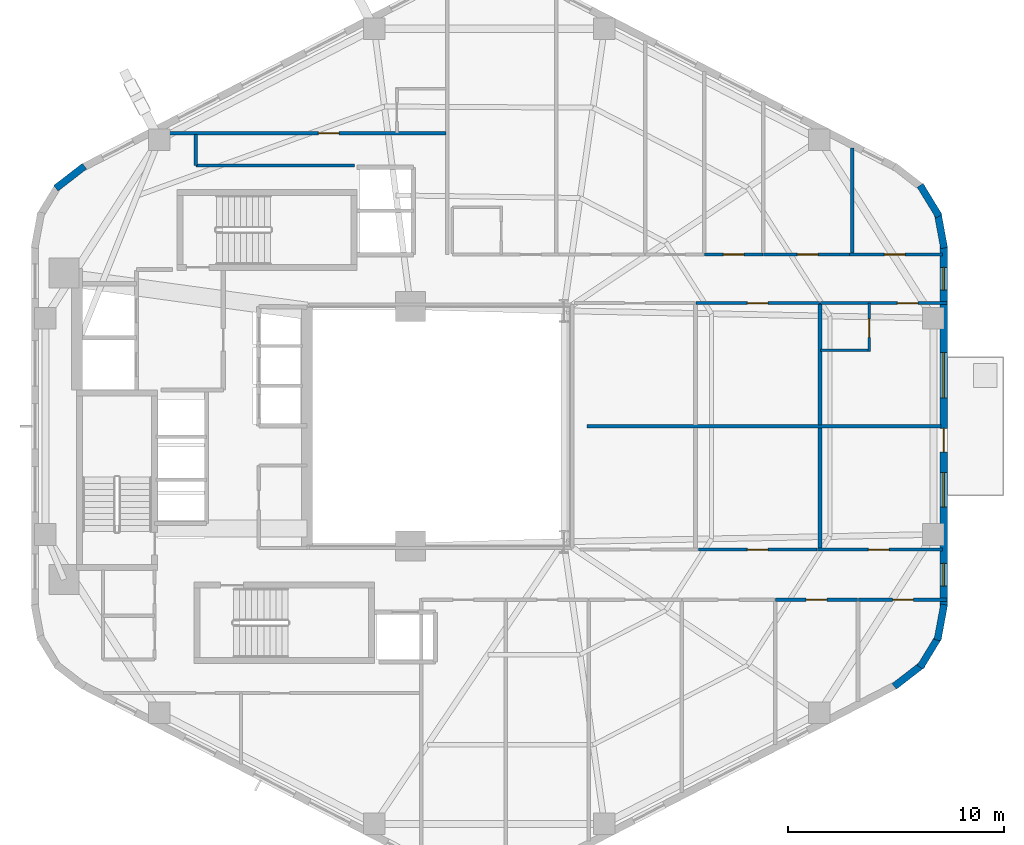
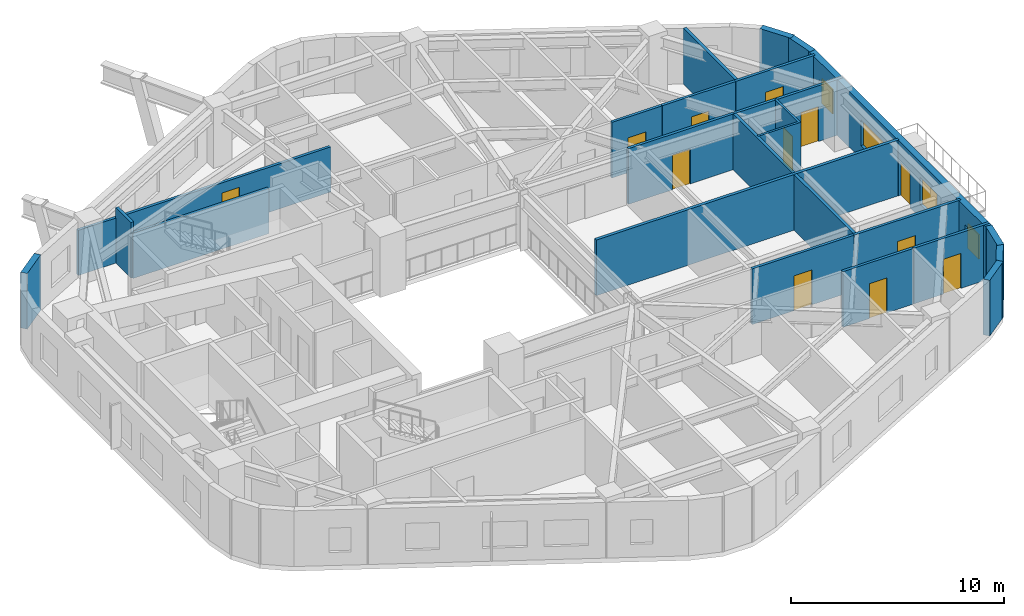
# One storey, part 5 of 8: 25 walls, 12 doors, 4 windows, 16 openings.
"""IFC4 building model written with IfcOpenShell, lengths in metres."""

from ifc_helpers import new_model, si_unit, direction, frame, frame_2d, origin, place, context, subcontext, project, spatial, rectangle, extrude, material, layer, layer_set, type_object, element, fill, save


model = new_model("IFC4")

# Units and contexts
model_context = context("Model", 3, precision=1e-05, world=origin(), true_north=direction((0.0, 1.0)))
body_context = subcontext(model_context, "Body", "Model", "MODEL_VIEW")
ifc_project = project(units=[si_unit("LENGTHUNIT", "METRE"), si_unit("AREAUNIT", "SQUARE_METRE"), si_unit("VOLUMEUNIT", "CUBIC_METRE"), si_unit("PLANEANGLEUNIT", "RADIAN"), si_unit("MASSUNIT", "GRAM", prefix="KILO"), si_unit("THERMODYNAMICTEMPERATUREUNIT", "KELVIN"), si_unit("POWERUNIT", "WATT")], contexts=[model_context])

# Site, building, storey
site_placement = place(None, origin())
site = spatial("IfcSite", under=ifc_project, at=site_placement, CompositionType="ELEMENT")
building_placement = place(site_placement, origin())
building = spatial("IfcBuilding", under=site, at=building_placement, Name="Skarre Station Tower", CompositionType="ELEMENT")
storey_placement = place(building_placement, frame((0.0, 0.0, 125.699951171875)))
storey = spatial("IfcBuildingStorey", under=building, at=storey_placement, Name="L33", CompositionType="ELEMENT", Elevation=125.699951171875)

# Wall, opening, door
ifc_material_1 = material(Name="Acoustic Steel-Stud Gypsum Partition", Category="steel")
ifc_layer_1 = layer(ifc_material_1, 0.14990234375, Name="Acoustic Steel-Stud Gypsum Partition")
ifc_layer_set_1 = layer_set([ifc_layer_1], Name="Acoustic Steel-Stud Gypsum Partition")
wall_type_1 = type_object("IfcWallType", Name="Fire-Rated Corridor Acoustic Partition 150", PredefinedType="PARTITIONING", material=ifc_layer_set_1)
wall_1_placement = place(storey_placement, frame((34.0, 37.580078125, 0.0), z_axis=(0.0, 0.0, 1.0), x_axis=(-1.0, 0.0, 0.0)))
wall_1 = element("IfcWall", 1, at=wall_1_placement, inside=storey, type_object=wall_type_1, Name="L33 Interior Partition WL-PT-L33-NWW1-CW", PredefinedType="PARTITIONING", context=body_context, shape_type="SweptSolid", body=[
    extrude(rectangle(XDim=13.70703125, YDim=0.14990234375, at=frame_2d((6.853515625, 0.0))), origin(), (0.0, 0.0, 1.0), 2.58203125),
])
opening_1_placement = place(wall_1_placement, frame((4.9599609375, 0.0, 0.0)))
opening_1 = element("IfcOpeningElement", 2, at=opening_1_placement, cuts=wall_1, Name="Opening DR-FD60", PredefinedType="OPENING", context=body_context, shape_type="SweptSolid", body=[
    extrude(rectangle(XDim=0.9599609375, YDim=2.0, at=frame_2d((0.47998046875, 1.0))), frame((0.0, 0.0849609375, 0.0), z_axis=(0.0, -1.0, 0.0), x_axis=(1.0, 0.0, 0.0)), (0.0, 0.0, 1.0), 0.169921875),
])
ifc_material_2 = material(Name="Nordic White-Oak Veneer Solid-Core Fire Leaf", Category="wood")
door_type_1 = type_object("IfcDoorType", Name="Corridor Suite Entry Fire Door FD60 960x2150", OperationType="SINGLE_SWING_LEFT", PredefinedType="DOOR", material=ifc_material_2)
door_1_placement = place(opening_1_placement, origin())
door_1 = element("IfcDoor", 3, at=door_1_placement, inside=storey, type_object=door_type_1, Name="L33 NWW1 Entry Door", OperationType="SINGLE_SWING_LEFT", OverallHeight=2.0, OverallWidth=0.9599609375, PredefinedType="DOOR", context=body_context, shape_type="SweptSolid", body=[
    extrude(rectangle(XDim=0.9599609375, YDim=2.0, at=frame_2d((0.47998046875, 1.0))), frame((0.0, 0.02490234375, 0.0), z_axis=(0.0, -1.0, 0.0), x_axis=(1.0, 0.0, 0.0)), (0.0, 0.0, 1.0), 0.050048828125),
])
fill(opening_1, door_1)

wall_2_placement = place(storey_placement, frame((48.679931640625, 31.9599609375, 0.0), z_axis=(0.0, 0.0, 1.0), x_axis=(-1.0, 0.0, 0.0)))
wall_2 = element("IfcWall", 4, at=wall_2_placement, inside=storey, type_object=wall_type_1, Name="L33 Interior Partition WL-PT-L33-NW4-CW", PredefinedType="PARTITIONING", context=body_context, shape_type="SweptSolid", body=[
    extrude(rectangle(XDim=2.7080078125, YDim=0.14990234375, at=frame_2d((1.35400390625, 0.0))), origin(), (0.0, 0.0, 1.0), 3.18994140625),
])
opening_2_placement = place(wall_2_placement, frame((0.8740234375, 0.0, 0.0)))
opening_2 = element("IfcOpeningElement", 5, at=opening_2_placement, cuts=wall_2, Name="Opening DR-FD60", PredefinedType="OPENING", context=body_context, shape_type="SweptSolid", body=[
    extrude(rectangle(XDim=0.9599609375, YDim=2.0, at=frame_2d((0.47998046875, 1.0))), frame((0.0, 0.0849609375, 0.0), z_axis=(0.0, -1.0, 0.0), x_axis=(1.0, 0.0, 0.0)), (0.0, 0.0, 1.0), 0.169921875),
])
door_2_placement = place(opening_2_placement, origin())
door_2 = element("IfcDoor", 6, at=door_2_placement, inside=storey, type_object=door_type_1, Name="L33 NW4 Entry Door", OperationType="SINGLE_SWING_LEFT", OverallHeight=2.0, OverallWidth=0.9599609375, PredefinedType="DOOR", context=body_context, shape_type="SweptSolid", body=[
    extrude(rectangle(XDim=0.9599609375, YDim=2.0, at=frame_2d((0.47998046875, 1.0))), frame((0.0, 0.02490234375, 0.0), z_axis=(0.0, -1.0, 0.0), x_axis=(1.0, 0.0, 0.0)), (0.0, 0.0, 1.0), 0.050048828125),
])
fill(opening_2, door_2)

wall_3_placement = place(storey_placement, frame((52.677001953125, 31.9599609375, 0.0), z_axis=(0.0, 0.0, 1.0), x_axis=(-1.0, 0.0, 0.0)))
wall_3 = element("IfcWall", 7, at=wall_3_placement, inside=storey, type_object=wall_type_1, Name="L33 Interior Partition WL-PT-L33-NW5-CW", PredefinedType="PARTITIONING", context=body_context, shape_type="SweptSolid", body=[
    extrude(rectangle(XDim=3.965087890625, YDim=0.14990234375, at=frame_2d((1.982421875, 0.0))), origin(), (0.0, 0.0, 1.0), 3.18994140625),
])
opening_3_placement = place(wall_3_placement, frame((1.446044921875, 0.0, 0.0)))
opening_3 = element("IfcOpeningElement", 8, at=opening_3_placement, cuts=wall_3, Name="Opening DR-FD60", PredefinedType="OPENING", context=body_context, shape_type="SweptSolid", body=[
    extrude(rectangle(XDim=0.9599609375, YDim=2.0, at=frame_2d((0.47998046875, 1.0))), frame((0.0, 0.0849609375, 0.0), z_axis=(0.0, -1.0, 0.0), x_axis=(1.0, 0.0, 0.0)), (0.0, 0.0, 1.0), 0.169921875),
])
door_3_placement = place(opening_3_placement, origin())
door_3 = element("IfcDoor", 9, at=door_3_placement, inside=storey, type_object=door_type_1, Name="L33 NW5 Entry Door", OperationType="SINGLE_SWING_LEFT", OverallHeight=2.0, OverallWidth=0.9599609375, PredefinedType="DOOR", context=body_context, shape_type="SweptSolid", body=[
    extrude(rectangle(XDim=0.9599609375, YDim=2.0, at=frame_2d((0.47998046875, 1.0))), frame((0.0, 0.02490234375, 0.0), z_axis=(0.0, -1.0, 0.0), x_axis=(1.0, 0.0, 0.0)), (0.0, 0.0, 1.0), 0.050048828125),
])
fill(opening_3, door_3)

wall_4_placement = place(storey_placement, frame((56.987060546875, 31.9599609375, 0.0), z_axis=(0.0, 0.0, 1.0), x_axis=(-1.0, 0.0, 0.0)))
wall_4 = element("IfcWall", 10, at=wall_4_placement, inside=storey, type_object=wall_type_1, Name="L33 Interior Partition WL-PT-L33-NW6-CW", PredefinedType="PARTITIONING", context=body_context, shape_type="SweptSolid", body=[
    extrude(rectangle(XDim=4.300048828125, YDim=0.14990234375, at=frame_2d((2.14990234375, 0.0))), origin(), (0.0, 0.0, 1.0), 3.18994140625),
])
opening_4_placement = place(wall_4_placement, frame((1.72705078125, 0.0, 0.0)))
opening_4 = element("IfcOpeningElement", 11, at=opening_4_placement, cuts=wall_4, Name="Opening DR-FD60", PredefinedType="OPENING", context=body_context, shape_type="SweptSolid", body=[
    extrude(rectangle(XDim=0.9599609375, YDim=2.0, at=frame_2d((0.47998046875, 1.0))), frame((0.0, 0.0849609375, 0.0), z_axis=(0.0, -1.0, 0.0), x_axis=(1.0, 0.0, 0.0)), (0.0, 0.0, 1.0), 0.169921875),
])
door_4_placement = place(opening_4_placement, origin())
door_4 = element("IfcDoor", 12, at=door_4_placement, inside=storey, type_object=door_type_1, Name="L33 NW6 Entry Door", OperationType="SINGLE_SWING_LEFT", OverallHeight=2.0, OverallWidth=0.9599609375, PredefinedType="DOOR", context=body_context, shape_type="SweptSolid", body=[
    extrude(rectangle(XDim=0.9599609375, YDim=2.0, at=frame_2d((0.47998046875, 1.0))), frame((0.0, 0.02490234375, 0.0), z_axis=(0.0, -1.0, 0.0), x_axis=(1.0, 0.0, 0.0)), (0.0, 0.0, 1.0), 0.050048828125),
])
fill(opening_4, door_4)

wall_5_placement = place(storey_placement, frame((45.56396484375, 29.7099609375, 0.0), z_axis=(0.0, 0.0, 1.0), x_axis=(1.0, 0.0, 0.0)))
wall_5 = element("IfcWall", 13, at=wall_5_placement, inside=storey, type_object=wall_type_1, Name="L33 Interior Partition WL-PT-L33-EWN2-CW", PredefinedType="PARTITIONING", context=body_context, shape_type="SweptSolid", body=[
    extrude(rectangle(XDim=5.739990234375, YDim=0.14990234375, at=frame_2d((2.8701171875, 0.0))), origin(), (0.0, 0.0, 1.0), 3.18994140625),
])
opening_5_placement = place(wall_5_placement, frame((2.389892578125, 0.0, 0.0)))
opening_5 = element("IfcOpeningElement", 14, at=opening_5_placement, cuts=wall_5, Name="Opening DR-FD60", PredefinedType="OPENING", context=body_context, shape_type="SweptSolid", body=[
    extrude(rectangle(XDim=0.9599609375, YDim=2.0, at=frame_2d((0.47998046875, 1.0))), frame((0.0, 0.0849609375, 0.0), z_axis=(0.0, -1.0, 0.0), x_axis=(1.0, 0.0, 0.0)), (0.0, 0.0, 1.0), 0.169921875),
])
door_5_placement = place(opening_5_placement, origin())
door_5 = element("IfcDoor", 15, at=door_5_placement, inside=storey, type_object=door_type_1, Name="L33 EWN2 Entry Door", OperationType="SINGLE_SWING_LEFT", OverallHeight=2.0, OverallWidth=0.9599609375, PredefinedType="DOOR", context=body_context, shape_type="SweptSolid", body=[
    extrude(rectangle(XDim=0.9599609375, YDim=2.0, at=frame_2d((0.47998046875, 1.0))), frame((0.0, 0.02490234375, 0.0), z_axis=(0.0, -1.0, 0.0), x_axis=(1.0, 0.0, 0.0)), (0.0, 0.0, 1.0), 0.050048828125),
])
fill(opening_5, door_5)

wall_6_placement = place(storey_placement, frame((51.333984375, 29.7099609375, 0.0), z_axis=(0.0, 0.0, 1.0), x_axis=(1.0, 0.0, 0.0)))
wall_6 = element("IfcWall", 16, at=wall_6_placement, inside=storey, type_object=wall_type_1, Name="L33 Interior Partition WL-PT-L33-EWN3-CW", PredefinedType="PARTITIONING", context=body_context, shape_type="SweptSolid", body=[
    extrude(rectangle(XDim=5.8740234375, YDim=0.14990234375, at=frame_2d((2.93701171875, 0.0))), origin(), (0.0, 0.0, 1.0), 3.18994140625),
])
opening_6_placement = place(wall_6_placement, frame((3.572021484375, 0.0, 0.0)))
opening_6 = element("IfcOpeningElement", 17, at=opening_6_placement, cuts=wall_6, Name="Opening DR-FD60", PredefinedType="OPENING", context=body_context, shape_type="SweptSolid", body=[
    extrude(rectangle(XDim=0.9599609375, YDim=2.0, at=frame_2d((0.47998046875, 1.0))), frame((0.0, 0.0849609375, 0.0), z_axis=(0.0, -1.0, 0.0), x_axis=(1.0, 0.0, 0.0)), (0.0, 0.0, 1.0), 0.169921875),
])
door_6_placement = place(opening_6_placement, origin())
door_6 = element("IfcDoor", 18, at=door_6_placement, inside=storey, type_object=door_type_1, Name="L33 EWN3 Entry Door", OperationType="SINGLE_SWING_LEFT", OverallHeight=2.0, OverallWidth=0.9599609375, PredefinedType="DOOR", context=body_context, shape_type="SweptSolid", body=[
    extrude(rectangle(XDim=0.9599609375, YDim=2.0, at=frame_2d((0.47998046875, 1.0))), frame((0.0, 0.02490234375, 0.0), z_axis=(0.0, -1.0, 0.0), x_axis=(1.0, 0.0, 0.0)), (0.0, 0.0, 1.0), 0.050048828125),
])
fill(opening_6, door_6)

wall_7_placement = place(storey_placement, frame((51.18896484375, 18.2900390625, 0.0), z_axis=(0.0, 0.0, 1.0), x_axis=(-1.0, 0.0, 0.0)))
wall_7 = element("IfcWall", 19, at=wall_7_placement, inside=storey, type_object=wall_type_1, Name="L33 Interior Partition WL-PT-L33-EWS2-CW", PredefinedType="PARTITIONING", context=body_context, shape_type="SweptSolid", body=[
    extrude(rectangle(XDim=5.510009765625, YDim=0.14990234375, at=frame_2d((2.7548828125, 0.0))), origin(), (0.0, 0.0, 1.0), 3.18994140625),
])
opening_7_placement = place(wall_7_placement, frame((2.27490234375, 0.0, 0.0)))
opening_7 = element("IfcOpeningElement", 20, at=opening_7_placement, cuts=wall_7, Name="Opening DR-FD60", PredefinedType="OPENING", context=body_context, shape_type="SweptSolid", body=[
    extrude(rectangle(XDim=0.9599609375, YDim=2.0, at=frame_2d((0.47998046875, 1.0))), frame((0.0, 0.0849609375, 0.0), z_axis=(0.0, -1.0, 0.0), x_axis=(1.0, 0.0, 0.0)), (0.0, 0.0, 1.0), 0.169921875),
])
door_7_placement = place(opening_7_placement, origin())
door_7 = element("IfcDoor", 21, at=door_7_placement, inside=storey, type_object=door_type_1, Name="L33 EWS2 Entry Door", OperationType="SINGLE_SWING_LEFT", OverallHeight=2.0, OverallWidth=0.9599609375, PredefinedType="DOOR", context=body_context, shape_type="SweptSolid", body=[
    extrude(rectangle(XDim=0.9599609375, YDim=2.0, at=frame_2d((0.47998046875, 1.0))), frame((0.0, 0.02490234375, 0.0), z_axis=(0.0, -1.0, 0.0), x_axis=(1.0, 0.0, 0.0)), (0.0, 0.0, 1.0), 0.050048828125),
])
fill(opening_7, door_7)

wall_8_placement = place(storey_placement, frame((56.988037109375, 18.2900390625, 0.0), z_axis=(0.0, 0.0, 1.0), x_axis=(-1.0, 0.0, 0.0)))
wall_8 = element("IfcWall", 22, at=wall_8_placement, inside=storey, type_object=wall_type_1, Name="L33 Interior Partition WL-PT-L33-EWS3-CW", PredefinedType="PARTITIONING", context=body_context, shape_type="SweptSolid", body=[
    extrude(rectangle(XDim=5.7890625, YDim=0.14990234375, at=frame_2d((2.89453125, 0.0))), origin(), (0.0, 0.0, 1.0), 3.18994140625),
])
opening_8_placement = place(wall_8_placement, frame((2.471923828125, 0.0, 0.0)))
opening_8 = element("IfcOpeningElement", 23, at=opening_8_placement, cuts=wall_8, Name="Opening DR-FD60", PredefinedType="OPENING", context=body_context, shape_type="SweptSolid", body=[
    extrude(rectangle(XDim=0.9599609375, YDim=2.0, at=frame_2d((0.47998046875, 1.0))), frame((0.0, 0.0849609375, 0.0), z_axis=(0.0, -1.0, 0.0), x_axis=(1.0, 0.0, 0.0)), (0.0, 0.0, 1.0), 0.169921875),
])
door_8_placement = place(opening_8_placement, origin())
door_8 = element("IfcDoor", 24, at=door_8_placement, inside=storey, type_object=door_type_1, Name="L33 EWS3 Entry Door", OperationType="SINGLE_SWING_LEFT", OverallHeight=2.0, OverallWidth=0.9599609375, PredefinedType="DOOR", context=body_context, shape_type="SweptSolid", body=[
    extrude(rectangle(XDim=0.9599609375, YDim=2.0, at=frame_2d((0.47998046875, 1.0))), frame((0.0, 0.02490234375, 0.0), z_axis=(0.0, -1.0, 0.0), x_axis=(1.0, 0.0, 0.0)), (0.0, 0.0, 1.0), 0.050048828125),
])
fill(opening_8, door_8)

wall_9_placement = place(storey_placement, frame((49.257080078125, 15.9599609375, 0.0), z_axis=(0.0, 0.0, 1.0), x_axis=(1.0, 0.0, 0.0)))
wall_9 = element("IfcWall", 25, at=wall_9_placement, inside=storey, type_object=wall_type_1, Name="L33 Interior Partition WL-PT-L33-SW5-CW", PredefinedType="PARTITIONING", context=body_context, shape_type="SweptSolid", body=[
    extrude(rectangle(XDim=3.802978515625, YDim=0.14990234375, at=frame_2d((1.9013671875, 0.0))), origin(), (0.0, 0.0, 1.0), 3.18994140625),
])
opening_9_placement = place(wall_9_placement, frame((1.422119140625, 0.0, 0.0)))
opening_9 = element("IfcOpeningElement", 26, at=opening_9_placement, cuts=wall_9, Name="Opening DR-FD60", PredefinedType="OPENING", context=body_context, shape_type="SweptSolid", body=[
    extrude(rectangle(XDim=0.9599609375, YDim=2.0, at=frame_2d((0.47998046875, 1.0))), frame((0.0, 0.0849609375, 0.0), z_axis=(0.0, -1.0, 0.0), x_axis=(1.0, 0.0, 0.0)), (0.0, 0.0, 1.0), 0.169921875),
])
door_9_placement = place(opening_9_placement, origin())
door_9 = element("IfcDoor", 27, at=door_9_placement, inside=storey, type_object=door_type_1, Name="L33 SW5 Entry Door", OperationType="SINGLE_SWING_LEFT", OverallHeight=2.0, OverallWidth=0.9599609375, PredefinedType="DOOR", context=body_context, shape_type="SweptSolid", body=[
    extrude(rectangle(XDim=0.9599609375, YDim=2.0, at=frame_2d((0.47998046875, 1.0))), frame((0.0, 0.02490234375, 0.0), z_axis=(0.0, -1.0, 0.0), x_axis=(1.0, 0.0, 0.0)), (0.0, 0.0, 1.0), 0.050048828125),
])
fill(opening_9, door_9)

wall_10_placement = place(storey_placement, frame((53.095947265625, 15.9599609375, 0.0), z_axis=(0.0, 0.0, 1.0), x_axis=(1.0, 0.0, 0.0)))
wall_10 = element("IfcWall", 28, at=wall_10_placement, inside=storey, type_object=wall_type_1, Name="L33 Interior Partition WL-PT-L33-SW6-CW", PredefinedType="PARTITIONING", context=body_context, shape_type="SweptSolid", body=[
    extrude(rectangle(XDim=4.112060546875, YDim=0.14990234375, at=frame_2d((2.05615234375, 0.0))), origin(), (0.0, 0.0, 1.0), 3.18994140625),
])
opening_10_placement = place(wall_10_placement, frame((1.590087890625, 0.0, 0.0)))
opening_10 = element("IfcOpeningElement", 29, at=opening_10_placement, cuts=wall_10, Name="Opening DR-FD60", PredefinedType="OPENING", context=body_context, shape_type="SweptSolid", body=[
    extrude(rectangle(XDim=0.9599609375, YDim=2.0, at=frame_2d((0.47998046875, 1.0))), frame((0.0, 0.0849609375, 0.0), z_axis=(0.0, -1.0, 0.0), x_axis=(1.0, 0.0, 0.0)), (0.0, 0.0, 1.0), 0.169921875),
])
door_10_placement = place(opening_10_placement, origin())
door_10 = element("IfcDoor", 30, at=door_10_placement, inside=storey, type_object=door_type_1, Name="L33 SW6 Entry Door", OperationType="SINGLE_SWING_LEFT", OverallHeight=2.0, OverallWidth=0.9599609375, PredefinedType="DOOR", context=body_context, shape_type="SweptSolid", body=[
    extrude(rectangle(XDim=0.9599609375, YDim=2.0, at=frame_2d((0.47998046875, 1.0))), frame((0.0, 0.02490234375, 0.0), z_axis=(0.0, -1.0, 0.0), x_axis=(1.0, 0.0, 0.0)), (0.0, 0.0, 1.0), 0.050048828125),
])
fill(opening_10, door_10)

# Walls
wall_11_placement = place(storey_placement, frame((29.7529296875, 36.080078125, 0.0), z_axis=(0.0, 0.0, 1.0), x_axis=(-1.0, 0.0, 0.0)))
element("IfcWall", 31, at=wall_11_placement, inside=storey, type_object=wall_type_1, Name="L33 Interior Partition WL-PT-L33-CSEAL-1", PredefinedType="PARTITIONING", context=body_context, shape_type="SweptSolid", body=[
    extrude(rectangle(XDim=7.35302734375, YDim=0.14990234375, at=frame_2d((3.676513671875, 0.0))), origin(), (0.0, 0.0, 1.0), 2.58203125),
])
wall_12_placement = place(storey_placement, frame((22.39990234375, 36.080078125, 0.0), z_axis=(0.0, 0.0, 1.0), x_axis=(0.0, 1.0, 0.0)))
element("IfcWall", 32, at=wall_12_placement, inside=storey, type_object=wall_type_1, Name="L33 Interior Partition WL-PT-L33-CSEAL-2", PredefinedType="PARTITIONING", context=body_context, shape_type="SweptSolid", body=[
    extrude(rectangle(XDim=1.429931640625, YDim=0.14990234375, at=frame_2d((0.71484375, 0.0))), origin(), (0.0, 0.0, 1.0), 3.18994140625),
])

# Wall, opening, door
ifc_material_3 = material(Name="Insulated Timber-Stud Gypsum Partition", Category="wood")
ifc_layer_2 = layer(ifc_material_3, 0.1201171875, Name="Insulated Timber-Stud Gypsum Partition")
ifc_layer_set_2 = layer_set([ifc_layer_2], Name="Insulated Timber-Stud Gypsum Partition")
wall_type_2 = type_object("IfcWallType", Name="Internal Suite Acoustic Partition 120", PredefinedType="PARTITIONING", material=ifc_layer_set_2)
wall_13_placement = place(storey_placement, frame((53.593994140625, 27.469970703125, 0.0), z_axis=(0.0, 0.0, 1.0), x_axis=(0.0, 1.0, 0.0)))
wall_13 = element("IfcWall", 33, at=wall_13_placement, inside=storey, type_object=wall_type_2, Name="L33 Interior Partition WL-PT-L33-EWN3-EW2", PredefinedType="PARTITIONING", context=body_context, shape_type="SweptSolid", body=[
    extrude(rectangle(XDim=2.239990234375, YDim=0.1201171875, at=frame_2d((1.1201171875, 0.0))), origin(), (0.0, 0.0, 1.0), 3.18994140625),
])
opening_11_placement = place(wall_13_placement, frame((0.64990234375, 0.0, 0.0)))
opening_11 = element("IfcOpeningElement", 34, at=opening_11_placement, cuts=wall_13, Name="Opening DR-INT86", PredefinedType="OPENING", context=body_context, shape_type="SweptSolid", body=[
    extrude(rectangle(XDim=0.860107421875, YDim=2.0, at=frame_2d((0.43017578125, 1.0))), frame((0.0, 0.070068359375, 0.0), z_axis=(0.0, -1.0, 0.0), x_axis=(1.0, 0.0, 0.0)), (0.0, 0.0, 1.0), 0.14013671875),
])
ifc_material_4 = material(Name="Nordic Birch Acoustic Solid-Core Timber Leaf", Category="wood")
door_type_2 = type_object("IfcDoorType", Name="Internal En-Suite & Bedroom Door 860x2100", OperationType="SINGLE_SWING_LEFT", PredefinedType="DOOR", material=ifc_material_4)
door_11_placement = place(opening_11_placement, origin())
door_11 = element("IfcDoor", 35, at=door_11_placement, inside=storey, type_object=door_type_2, Name="L33 EWN3 En-suite Door", OperationType="SINGLE_SWING_RIGHT", OverallHeight=2.0, OverallWidth=0.860107421875, PredefinedType="DOOR", context=body_context, shape_type="SweptSolid", body=[
    extrude(rectangle(XDim=0.860107421875, YDim=2.0, at=frame_2d((0.43017578125, 1.0))), frame((0.0, 0.02490234375, 0.0), z_axis=(0.0, -1.0, 0.0), x_axis=(1.0, 0.0, 0.0)), (0.0, 0.0, 1.0), 0.050048828125),
])
fill(opening_11, door_11)

# Wall
wall_14_placement = place(storey_placement, frame((51.333984375, 27.530029296875, 0.0), z_axis=(0.0, 0.0, 1.0), x_axis=(1.0, 0.0, 0.0)))
element("IfcWall", 36, at=wall_14_placement, inside=storey, type_object=wall_type_2, Name="L33 Interior Partition WL-PT-L33-EWN3-EW1", PredefinedType="PARTITIONING", context=body_context, shape_type="SweptSolid", body=[
    extrude(rectangle(XDim=2.320068359375, YDim=0.1201171875, at=frame_2d((1.16015625, 0.0))), origin(), (0.0, 0.0, 1.0), 3.18994140625),
])

# Wall, openings, windows, door
ifc_material_5 = material(Name="Precast concrete C45/55", Category="concrete")
ifc_layer_3 = layer(ifc_material_5, 0.340087890625, Name="Precast concrete C45/55")
ifc_layer_set_3 = layer_set([ifc_layer_3], Name="Precast concrete C45/55")
wall_type_3 = type_object("IfcWallType", Name="Nordic Honed Precast Facet Wall 340", PredefinedType="STANDARD", material=ifc_layer_set_3)
wall_15_placement = place(storey_placement, frame((57.048095703125, 32.35205078125, 0.0), z_axis=(0.0, 0.0, 1.0), x_axis=(0.0, -1.0, 0.0)))
wall_15 = element("IfcWall", 37, at=wall_15_placement, inside=storey, type_object=wall_type_3, Name="L33 Facet 5 Nordic Precast Masonry Wall", PredefinedType="STANDARD", context=body_context, shape_type="SweptSolid", body=[
    extrude(rectangle(XDim=16.7041015625, YDim=0.340087890625, at=frame_2d((8.35205078125, 0.0))), origin(), (0.0, 0.0, 1.0), 3.18994140625),
])
opening_12_placement = place(wall_15_placement, frame((8.451904296875, 0.0, 0.0)))
opening_12 = element("IfcOpeningElement", 38, at=opening_12_placement, cuts=wall_15, Name="Opening DR-BAL110", PredefinedType="OPENING", context=body_context, shape_type="SweptSolid", body=[
    extrude(rectangle(XDim=1.10009765625, YDim=2.0400390625, at=frame_2d((0.550048828125, 1.02001953125))), frame((0.0, 0.179931640625, 0.0), z_axis=(0.0, -1.0, 0.0), x_axis=(1.0, 0.0, 0.0)), (0.0, 0.0, 1.0), 0.360107421875),
])
opening_13_placement = place(wall_15_placement, frame((0.991943359375, 0.0, 0.75)))
opening_13 = element("IfcOpeningElement", 39, at=opening_13_placement, cuts=wall_15, Name="Opening WN-SLT", PredefinedType="OPENING", context=body_context, shape_type="SweptSolid", body=[
    extrude(rectangle(XDim=1.050048828125, YDim=1.39990234375, at=frame_2d((0.52490234375, 0.699951171875))), frame((0.0, 0.179931640625, 0.0), z_axis=(0.0, -1.0, 0.0), x_axis=(1.0, 0.0, 0.0)), (0.0, 0.0, 1.0), 0.360107421875),
])
opening_14_placement = place(wall_15_placement, frame((4.93505859375, 0.0, 0.75)))
opening_14 = element("IfcOpeningElement", 40, at=opening_14_placement, cuts=wall_15, Name="Opening WN-Z2B", PredefinedType="OPENING", context=body_context, shape_type="SweptSolid", body=[
    extrude(rectangle(XDim=2.10009765625, YDim=1.5, at=frame_2d((1.050048828125, 0.75))), frame((0.0, 0.179931640625, 0.0), z_axis=(0.0, -1.0, 0.0), x_axis=(1.0, 0.0, 0.0)), (0.0, 0.0, 1.0), 0.360107421875),
])
opening_15_placement = place(wall_15_placement, frame((10.4970703125, 0.0, 0.75)))
opening_15 = element("IfcOpeningElement", 41, at=opening_15_placement, cuts=wall_15, Name="Opening WN-Z2A", PredefinedType="OPENING", context=body_context, shape_type="SweptSolid", body=[
    extrude(rectangle(XDim=1.60009765625, YDim=1.550048828125, at=frame_2d((0.800048828125, 0.77490234375))), frame((0.0, 0.179931640625, 0.0), z_axis=(0.0, -1.0, 0.0), x_axis=(1.0, 0.0, 0.0)), (0.0, 0.0, 1.0), 0.360107421875),
])
opening_16_placement = place(wall_15_placement, frame((14.701904296875, 0.0, 0.75)))
opening_16 = element("IfcOpeningElement", 42, at=opening_16_placement, cuts=wall_15, Name="Opening WN-SLT", PredefinedType="OPENING", context=body_context, shape_type="SweptSolid", body=[
    extrude(rectangle(XDim=1.050048828125, YDim=1.39990234375, at=frame_2d((0.52490234375, 0.699951171875))), frame((0.0, 0.179931640625, 0.0), z_axis=(0.0, -1.0, 0.0), x_axis=(1.0, 0.0, 0.0)), (0.0, 0.0, 1.0), 0.360107421875),
])
ifc_material_6 = material(Name="Low-Iron Triple Glazing with Bronze Anodized Frame", Category="glass")
window_type_1 = type_object("IfcWindowType", Name="Nordic Corner Slot Window 1050x1400", PartitioningType="SINGLE_PANEL", PredefinedType="WINDOW", material=ifc_material_6)
window_1_placement = place(opening_13_placement, origin())
window_1 = element("IfcWindow", 43, at=window_1_placement, inside=storey, type_object=window_type_1, Name="L33 Facade Window WL-FAC-L33-F5-1", OverallHeight=1.39990234375, OverallWidth=1.050048828125, PartitioningType="SINGLE_PANEL", PredefinedType="WINDOW", context=body_context, shape_type="SweptSolid", body=[
    extrude(rectangle(XDim=1.050048828125, YDim=1.39990234375, at=frame_2d((0.52490234375, 0.699951171875))), frame((0.0, 0.030029296875, 0.0), z_axis=(0.0, -1.0, 0.0), x_axis=(1.0, 0.0, 0.0)), (0.0, 0.0, 1.0), 0.06005859375),
])
fill(opening_13, window_1)
window_2_placement = place(opening_16_placement, origin())
window_2 = element("IfcWindow", 44, at=window_2_placement, inside=storey, type_object=window_type_1, Name="L33 Facade Window WL-FAC-L33-F5-4", OverallHeight=1.39990234375, OverallWidth=1.050048828125, PartitioningType="SINGLE_PANEL", PredefinedType="WINDOW", context=body_context, shape_type="SweptSolid", body=[
    extrude(rectangle(XDim=1.050048828125, YDim=1.39990234375, at=frame_2d((0.52490234375, 0.699951171875))), frame((0.0, 0.030029296875, 0.0), z_axis=(0.0, -1.0, 0.0), x_axis=(1.0, 0.0, 0.0)), (0.0, 0.0, 1.0), 0.06005859375),
])
fill(opening_16, window_2)
window_type_2 = type_object("IfcWindowType", Name="Nordic Residential Tall Window 1600x1550", PartitioningType="SINGLE_PANEL", PredefinedType="WINDOW", material=ifc_material_6)
window_3_placement = place(opening_15_placement, origin())
window_3 = element("IfcWindow", 45, at=window_3_placement, inside=storey, type_object=window_type_2, Name="L33 Facade Window WL-FAC-L33-F5-3", OverallHeight=1.550048828125, OverallWidth=1.60009765625, PartitioningType="SINGLE_PANEL", PredefinedType="WINDOW", context=body_context, shape_type="SweptSolid", body=[
    extrude(rectangle(XDim=1.60009765625, YDim=1.550048828125, at=frame_2d((0.800048828125, 0.77490234375))), frame((0.0, 0.030029296875, 0.0), z_axis=(0.0, -1.0, 0.0), x_axis=(1.0, 0.0, 0.0)), (0.0, 0.0, 1.0), 0.06005859375),
])
fill(opening_15, window_3)
window_type_3 = type_object("IfcWindowType", Name="Nordic Residential Twin Window 2100x1500", PartitioningType="SINGLE_PANEL", PredefinedType="WINDOW", material=ifc_material_6)
window_4_placement = place(opening_14_placement, origin())
window_4 = element("IfcWindow", 46, at=window_4_placement, inside=storey, type_object=window_type_3, Name="L33 Facade Window WL-FAC-L33-F5-2", OverallHeight=1.5, OverallWidth=2.10009765625, PartitioningType="SINGLE_PANEL", PredefinedType="WINDOW", context=body_context, shape_type="SweptSolid", body=[
    extrude(rectangle(XDim=2.10009765625, YDim=1.5, at=frame_2d((1.050048828125, 0.75))), frame((0.0, 0.030029296875, 0.0), z_axis=(0.0, -1.0, 0.0), x_axis=(1.0, 0.0, 0.0)), (0.0, 0.0, 1.0), 0.06005859375),
])
fill(opening_14, window_4)
ifc_material_7 = material(Name="Thermally Broken Aluminium & Triple Glazing", Category="aluminium")
door_type_3 = type_object("IfcDoorType", Name="Terrace & Tree-Balcony Glazed Door 1100x2200", OperationType="SINGLE_SWING_LEFT", PredefinedType="DOOR", material=ifc_material_7)
door_12_placement = place(opening_12_placement, origin())
door_12 = element("IfcDoor", 47, at=door_12_placement, inside=storey, type_object=door_type_3, Name="L33 TB-L33-F5 Tree-Balcony Glazed Door", OperationType="SINGLE_SWING_LEFT", OverallHeight=2.0400390625, OverallWidth=1.10009765625, PredefinedType="DOOR", context=body_context, shape_type="SweptSolid", body=[
    extrude(rectangle(XDim=1.10009765625, YDim=2.0400390625, at=frame_2d((0.550048828125, 1.02001953125))), frame((0.0, 0.02490234375, 0.0), z_axis=(0.0, -1.0, 0.0), x_axis=(1.0, 0.0, 0.0)), (0.0, 0.0, 1.0), 0.050048828125),
])
fill(opening_12, door_12)

# Walls
ifc_layer_4 = layer(ifc_material_5, 0.330078125, Name="Precast concrete C45/55")
ifc_layer_set_4 = layer_set([ifc_layer_4], Name="Precast concrete C45/55")
wall_type_4 = type_object("IfcWallType", Name="Nordic Rounded Corner Precast Wall 330", PredefinedType="STANDARD", material=ifc_layer_set_4)
wall_16_placement = place(storey_placement, frame((55.95703125, 35.1640625, 0.0), z_axis=(0.0, 0.0, 1.0), x_axis=(0.520519429557, -0.853849824883, 0.0)))
element("IfcWall", 48, at=wall_16_placement, inside=storey, type_object=wall_type_4, Name="L33 Rounded Corner Precast Wall F0-2", PredefinedType="STANDARD", context=body_context, shape_type="SweptSolid", body=[
    extrude(rectangle(XDim=1.67724609375, YDim=0.330078125, at=frame_2d((0.838623046875, 0.0))), origin(), (0.0, 0.0, 1.0), 3.18994140625),
])
wall_17_placement = place(storey_placement, frame((56.762939453125, 33.906982421875, 0.0), z_axis=(0.0, 0.0, 1.0), x_axis=(0.181984991895, -0.983301308209, 0.0)))
element("IfcWall", 49, at=wall_17_placement, inside=storey, type_object=wall_type_4, Name="L33 Rounded Corner Precast Wall F0-3", PredefinedType="STANDARD", context=body_context, shape_type="SweptSolid", body=[
    extrude(rectangle(XDim=1.677001953125, YDim=0.330078125, at=frame_2d((0.83837890625, 0.0))), origin(), (0.0, 0.0, 1.0), 3.18994140625),
])
wall_18_placement = place(storey_placement, frame((15.91796875, 35.02392578125, 0.0), z_axis=(0.0, 0.0, 1.0), x_axis=(0.790621329885, 0.612305408053, 0.0)))
element("IfcWall", 50, at=wall_18_placement, inside=storey, type_object=wall_type_4, Name="L33 Rounded Corner Precast Wall F2-3", PredefinedType="STANDARD", context=body_context, shape_type="SweptSolid", body=[
    extrude(rectangle(XDim=1.67578125, YDim=0.330078125, at=frame_2d((0.837890625, 0.0))), origin(), (0.0, 0.0, 1.0), 3.18994140625),
])
wall_19_placement = place(storey_placement, frame((57.068115234375, 15.741943359375, 0.0), z_axis=(0.0, 0.0, 1.0), x_axis=(-0.181984991895, -0.983301308209, 0.0)))
element("IfcWall", 51, at=wall_19_placement, inside=storey, type_object=wall_type_4, Name="L33 Rounded Corner Precast Wall F5-1", PredefinedType="STANDARD", context=body_context, shape_type="SweptSolid", body=[
    extrude(rectangle(XDim=1.677001953125, YDim=0.330078125, at=frame_2d((0.83837890625, 0.0))), origin(), (0.0, 0.0, 1.0), 3.18994140625),
])
wall_20_placement = place(storey_placement, frame((56.830078125, 14.26806640625, 0.0), z_axis=(0.0, 0.0, 1.0), x_axis=(-0.520519429557, -0.853849824883, 0.0)))
element("IfcWall", 52, at=wall_20_placement, inside=storey, type_object=wall_type_4, Name="L33 Rounded Corner Precast Wall F5-2", PredefinedType="STANDARD", context=body_context, shape_type="SweptSolid", body=[
    extrude(rectangle(XDim=1.67724609375, YDim=0.330078125, at=frame_2d((0.838623046875, 0.0))), origin(), (0.0, 0.0, 1.0), 3.18994140625),
])
wall_21_placement = place(storey_placement, frame((56.08203125, 12.97607421875, 0.0), z_axis=(0.0, 0.0, 1.0), x_axis=(-0.790621329885, -0.612305408053, 0.0)))
element("IfcWall", 53, at=wall_21_placement, inside=storey, type_object=wall_type_4, Name="L33 Rounded Corner Precast Wall F5-3", PredefinedType="STANDARD", context=body_context, shape_type="SweptSolid", body=[
    extrude(rectangle(XDim=1.67578125, YDim=0.330078125, at=frame_2d((0.837890625, 0.0))), origin(), (0.0, 0.0, 1.0), 3.18994140625),
])
ifc_layer_5 = layer(ifc_material_1, 0.1650390625, Name="Acoustic Steel-Stud Gypsum Partition")
ifc_layer_set_5 = layer_set([ifc_layer_5], Name="Acoustic Steel-Stud Gypsum Partition")
wall_type_5 = type_object("IfcWallType", Name="Suite Demising Acoustic Partition 165", PredefinedType="PARTITIONING", material=ifc_layer_set_5)
wall_22_placement = place(storey_placement, frame((52.806884765625, 31.969970703125, 0.0), z_axis=(0.0, 0.0, 1.0), x_axis=(0.0, 1.0, 0.0)))
element("IfcWall", 54, at=wall_22_placement, inside=storey, type_object=wall_type_5, Name="L33 Interior Partition WL-PT-L33-NW-P5", PredefinedType="PARTITIONING", context=body_context, shape_type="SweptSolid", body=[
    extrude(rectangle(XDim=4.929931640625, YDim=0.1650390625, at=frame_2d((2.46484375, 0.0))), origin(), (0.0, 0.0, 1.0), 3.18994140625),
])
wall_23_placement = place(storey_placement, frame((40.52001953125, 24.0, 0.0), z_axis=(0.0, 0.0, 1.0), x_axis=(1.0, 0.0, 0.0)))
element("IfcWall", 55, at=wall_23_placement, inside=storey, type_object=wall_type_5, Name="L33 Interior Partition WL-PT-L33-EW-Z2MID", PredefinedType="PARTITIONING", context=body_context, shape_type="SweptSolid", body=[
    extrude(rectangle(XDim=16.407958984375, YDim=0.1650390625, at=frame_2d((8.2041015625, 0.0))), origin(), (0.0, 0.0, 1.0), 3.18994140625),
])
for number, where, z_axis, x_axis, name in (
    (56, (51.319091796875, 24.070068359375, 0.0), (0.0, 0.0, 1.0), (0.0, 1.0, 0.0), "L33 Interior Partition WL-PT-L33-EWN-P2"),
    (57, (51.319091796875, 18.2900390625, 0.0), (0.0, 0.0, 1.0), (0.0, 1.0, 0.0), "L33 Interior Partition WL-PT-L33-EWS-P2"),
):
    element("IfcWall", number, at=place(storey_placement, frame(where, z_axis=z_axis, x_axis=x_axis)), inside=storey, type_object=wall_type_5, Name=name, PredefinedType="PARTITIONING", context=body_context, shape_type="SweptSolid", body=[
        extrude(rectangle(XDim=5.639892578125, YDim=0.1650390625, at=frame_2d((2.81982421875, 0.0))), origin(), (0.0, 0.0, 1.0), 3.18994140625),
    ])

save(model, "model.ifc")
